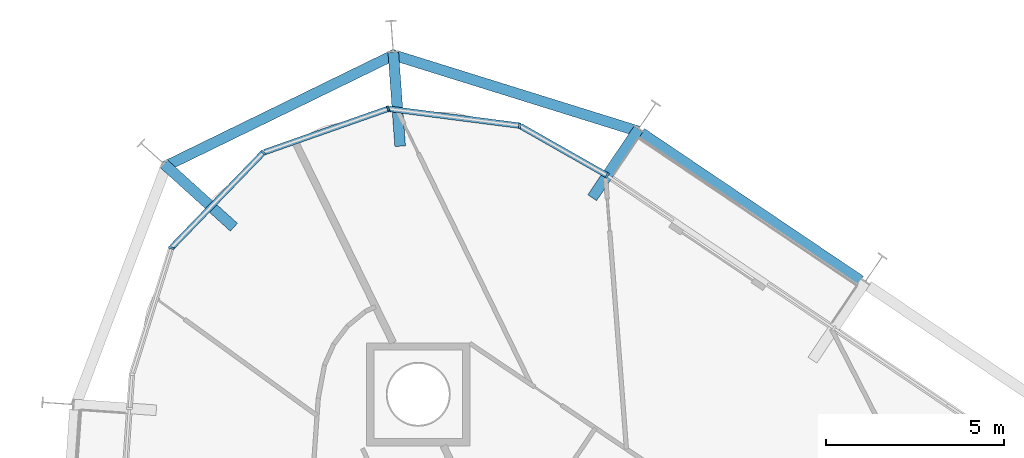
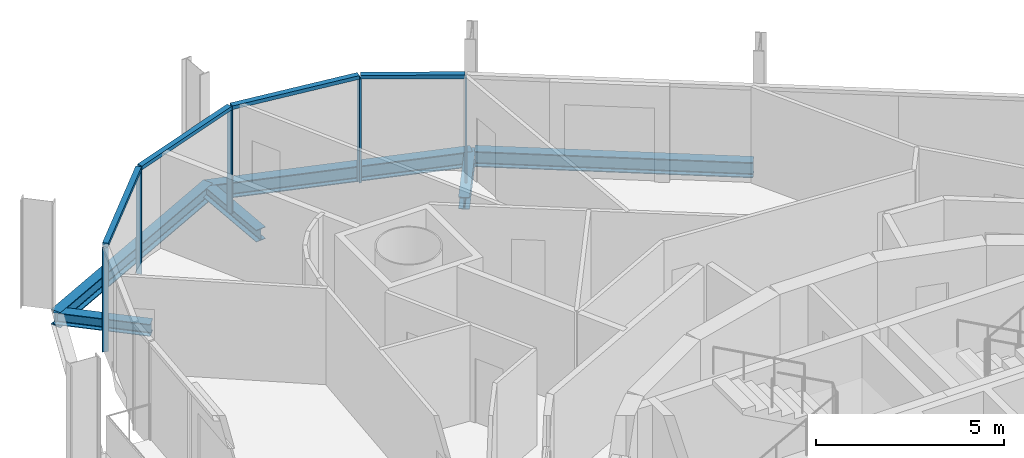
# One storey, part 8 of 17: 9 members, 6 beams, 1 element without a shape of its own.
"""IFC4 building model written with IfcOpenShell, lengths in metres."""

from ifc_helpers import new_model, si_unit, direction, frame, origin, origin_2d, place, context, subcontext, project, spatial, rectangle, i_section, extrude, material, layer, layer_set, material_profile, profile_set, type_object, element, aggregate, save


model = new_model("IFC4")

# Units and contexts
model_context = context("Model", 3, precision=1e-05, world=origin(), true_north=direction((0.0, 1.0)))
body_context = subcontext(model_context, "Body", "Model", "MODEL_VIEW")
ifc_project = project(units=[si_unit("LENGTHUNIT", "METRE"), si_unit("AREAUNIT", "SQUARE_METRE"), si_unit("VOLUMEUNIT", "CUBIC_METRE"), si_unit("PLANEANGLEUNIT", "RADIAN"), si_unit("MASSUNIT", "GRAM", prefix="KILO")], contexts=[model_context])

# Site, building, storey
site_placement = place(None, origin())
site = spatial("IfcSite", under=ifc_project, at=site_placement, CompositionType="ELEMENT")
building_placement = place(site_placement, origin())
building = spatial("IfcBuilding", under=site, at=building_placement, Name="Spindle Arch Residences", CompositionType="ELEMENT")
storey_placement = place(building_placement, frame((0.0, 0.0, 209.39990234375)))
storey = spatial("IfcBuildingStorey", under=building, at=storey_placement, Name="L53", CompositionType="ELEMENT", Elevation=209.39990234375)

# Curtain wall, members
ifc_material_1 = material(Name="Aluminium bronze unitised frame with tinted glass", Category="aluminium")
ifc_layer = layer(ifc_material_1, 0.159912109375)
ifc_layer_set = layer_set([ifc_layer], Name="CW-D corner wall on the fillet arcs")
curtain_wall_type = type_object("IfcCurtainWallType", Name="CW-D corner wall on the fillet arcs", PredefinedType="NOTDEFINED", material=ifc_layer_set)
curtain_wall_placement = place(storey_placement, origin())
curtain_wall = element("IfcCurtainWall", 1, at=curtain_wall_placement, inside=storey, type_object=curtain_wall_type, Name="CW-D L53 run 3", PredefinedType="NOTDEFINED")
ifc_material_2 = material(Name="Aluminium bronze anodised mullion", Category="aluminium")
ifc_material_profile_1 = material_profile(ifc_material_2, rectangle(XDim=0.159912109375, YDim=0.06005859375, at=origin_2d()), Name="MU 60x160")
ifc_profile_set_1 = profile_set([ifc_material_profile_1], Name="Aluminium bronze anodised mullion")
member_type_1 = type_object("IfcMemberType", Name="Bronze mullion 60x160", PredefinedType="MULLION", material=ifc_profile_set_1)
member_1_placement = place(storey_placement, frame((-3.608642578125, 24.46044921875, -0.3798828125), z_axis=(0.0, 0.0, 1.0), x_axis=(-0.493864780547, -0.86953871595, 0.0)))
member_1 = element("IfcMember", 2, at=member_1_placement, type_object=member_type_1, Name="CW-D mullion 00", PredefinedType="MULLION", context=body_context, shape_type="SweptSolid", body=[
    extrude(rectangle(XDim=0.159912109375, YDim=0.06005859375, at=origin_2d()), origin(), (0.0, 0.0, 1.0), 3.3798828125),
])
member_2_placement = place(storey_placement, frame((-6.07421875, 25.86083984375, -0.3798828125), z_axis=(0.0, 0.0, 1.0), x_axis=(-0.127641651888, -0.991820351023, 0.0)))
member_2 = element("IfcMember", 3, at=member_2_placement, type_object=member_type_1, Name="CW-D mullion 01", PredefinedType="MULLION", context=body_context, shape_type="SweptSolid", body=[
    extrude(rectangle(XDim=0.159912109375, YDim=0.06005859375, at=origin_2d()), origin(), (0.0, 0.0, 1.0), 3.3798828125),
])
member_3_placement = place(storey_placement, frame((-9.7705078125, 26.336669921875, -0.3798828125), z_axis=(0.0, 0.0, 1.0), x_axis=(0.331063412445, -0.943608508302, 0.0)))
member_3 = element("IfcMember", 4, at=member_3_placement, type_object=member_type_1, Name="CW-D mullion 02", PredefinedType="MULLION", context=body_context, shape_type="SweptSolid", body=[
    extrude(rectangle(XDim=0.159912109375, YDim=0.06005859375, at=origin_2d()), origin(), (0.0, 0.0, 1.0), 3.3798828125),
])
member_4_placement = place(storey_placement, frame((-13.287109375, 25.102783203125, -0.3798828125), z_axis=(0.0, 0.0, 1.0), x_axis=(0.719339801939, -0.694658368802, 0.0)))
member_4 = element("IfcMember", 5, at=member_4_placement, type_object=member_type_1, Name="CW-D mullion 03", PredefinedType="MULLION", context=body_context, shape_type="SweptSolid", body=[
    extrude(rectangle(XDim=0.159912109375, YDim=0.06005859375, at=origin_2d()), origin(), (0.0, 0.0, 1.0), 3.3798828125),
])
member_5_placement = place(storey_placement, frame((-15.8759765625, 22.421875, -0.3798828125), z_axis=(0.0, 0.0, 1.0), x_axis=(0.954587634064, -0.297930275218, 0.0)))
member_5 = element("IfcMember", 6, at=member_5_placement, type_object=member_type_1, Name="CW-D mullion 04", PredefinedType="MULLION", context=body_context, shape_type="SweptSolid", body=[
    extrude(rectangle(XDim=0.159912109375, YDim=0.06005859375, at=origin_2d()), origin(), (0.0, 0.0, 1.0), 3.3798828125),
])
ifc_material_3 = material(Name="Aluminium bronze anodised transom", Category="aluminium")
ifc_material_profile_2 = material_profile(ifc_material_3, rectangle(XDim=0.159912109375, YDim=0.1201171875, at=origin_2d()), Name="TR 120x160")
ifc_profile_set_2 = profile_set([ifc_material_profile_2], Name="Aluminium bronze anodised transom")
member_type_2 = type_object("IfcMemberType", Name="Bronze transom 120x160", PredefinedType="USERDEFINED", material=ifc_profile_set_2)
member_6_placement = place(storey_placement, frame((-3.634521484375, 24.475341796875, 3.06005859375), z_axis=(-0.869571592644, 0.493806890664, 0.0), x_axis=(-0.493806890664, -0.869571592644, 0.0)))
member_6 = element("IfcMember", 7, at=member_6_placement, type_object=member_type_2, Name="CW-D transom 00", ObjectType="TRANSOM", PredefinedType="USERDEFINED", context=body_context, shape_type="SweptSolid", body=[
    extrude(rectangle(XDim=0.159912109375, YDim=0.1201171875, at=origin_2d()), origin(), (0.0, 0.0, 1.0), 2.775634765625),
])
member_7_placement = place(storey_placement, frame((-6.10400390625, 25.86474609375, 3.06005859375), z_axis=(-0.991820609669, 0.127639642101, 0.0), x_axis=(-0.127639642101, -0.991820609669, 0.0)))
member_7 = element("IfcMember", 8, at=member_7_placement, type_object=member_type_2, Name="CW-D transom 01", ObjectType="TRANSOM", PredefinedType="USERDEFINED", context=body_context, shape_type="SweptSolid", body=[
    extrude(rectangle(XDim=0.159912109375, YDim=0.1201171875, at=origin_2d()), origin(), (0.0, 0.0, 1.0), 3.666748046875),
])
member_8_placement = place(storey_placement, frame((-9.798828125, 26.32666015625, 3.06005859375), z_axis=(-0.943613119154, -0.331050270141, 0.0), x_axis=(0.331050270141, -0.943613119154, 0.0)))
member_8 = element("IfcMember", 9, at=member_8_placement, type_object=member_type_2, Name="CW-D transom 02", ObjectType="TRANSOM", PredefinedType="USERDEFINED", context=body_context, shape_type="SweptSolid", body=[
    extrude(rectangle(XDim=0.159912109375, YDim=0.1201171875, at=origin_2d()), origin(), (0.0, 0.0, 1.0), 3.666748046875),
])
member_9_placement = place(storey_placement, frame((-13.307861328125, 25.081298828125, 3.06005859375), z_axis=(-0.694647982093, -0.719349832122, 0.0), x_axis=(0.719349832122, -0.694647982093, 0.0)))
member_9 = element("IfcMember", 10, at=member_9_placement, type_object=member_type_2, Name="CW-D transom 03", ObjectType="TRANSOM", PredefinedType="USERDEFINED", context=body_context, shape_type="SweptSolid", body=[
    extrude(rectangle(XDim=0.159912109375, YDim=0.1201171875, at=origin_2d()), origin(), (0.0, 0.0, 1.0), 3.666748046875),
])
aggregate(curtain_wall, [member_1, member_6, member_2, member_7, member_3, member_8, member_4, member_9, member_5])

# Beams
ifc_material_4 = material(Name="Steel S460ML, intumescent coating R 120", Category="steel")
ifc_material_profile_3 = material_profile(ifc_material_4, i_section(OverallWidth=0.300048828125, OverallDepth=0.5, WebThickness=0.014404296875, FlangeThickness=0.028076171875, FilletRadius=0.027099609375, at=origin_2d()), Name="HEB 500")
ifc_profile_set_3 = profile_set([ifc_material_profile_3], Name="Steel S460ML, intumescent coating R 120")
beam_type_1 = type_object("IfcBeamType", Name="Exoskeleton edge beam HEB 500", PredefinedType="BEAM", material=ifc_profile_set_3)
beam_1_placement = place(storey_placement, frame((3.517578125, 21.499267578125, -0.6298828125), z_axis=(-0.829031763913, 0.55920151504, 0.0), x_axis=(-0.55920151504, -0.829031763913, 0.0)))
element("IfcBeam", 11, at=beam_1_placement, inside=storey, type_object=beam_type_1, Name="Exoskeleton edge beam 9", PredefinedType="BEAM", context=body_context, shape_type="SweptSolid", body=[
    extrude(i_section(OverallWidth=0.300048828125, OverallDepth=0.5, WebThickness=0.014404296875, FlangeThickness=0.028076171875, FilletRadius=0.027099609375, at=origin_2d()), origin(), (0.0, 0.0, 1.0), 7.433837890625),
])
beam_2_placement = place(storey_placement, frame((-2.729248046875, 25.7001953125, -0.6298828125), z_axis=(-0.954689668885, 0.297603152072, 0.0), x_axis=(-0.297603152072, -0.954689668885, 0.0)))
element("IfcBeam", 12, at=beam_2_placement, inside=storey, type_object=beam_type_1, Name="Exoskeleton edge beam 10", PredefinedType="BEAM", context=body_context, shape_type="SweptSolid", body=[
    extrude(i_section(OverallWidth=0.300048828125, OverallDepth=0.5, WebThickness=0.014404296875, FlangeThickness=0.028076171875, FilletRadius=0.027099609375, at=origin_2d()), origin(), (0.0, 0.0, 1.0), 7.263427734375),
])
beam_3_placement = place(storey_placement, frame((-9.563720703125, 27.876708984375, -0.6298828125), z_axis=(-0.89878236333, -0.438395099616, 0.0), x_axis=(0.438395099616, -0.89878236333, 0.0)))
element("IfcBeam", 13, at=beam_3_placement, inside=storey, type_object=beam_type_1, Name="Exoskeleton edge beam 11", PredefinedType="BEAM", context=body_context, shape_type="SweptSolid", body=[
    extrude(i_section(OverallWidth=0.300048828125, OverallDepth=0.5, WebThickness=0.014404296875, FlangeThickness=0.028076171875, FilletRadius=0.027099609375, at=origin_2d()), origin(), (0.0, 0.0, 1.0), 7.2490234375),
])
ifc_material_5 = material(Name="Steel S460ML, intumescent coating R 120", Category="steel")
ifc_material_profile_4 = material_profile(ifc_material_5, i_section(OverallWidth=0.300048828125, OverallDepth=0.389892578125, WebThickness=0.010986328125, FlangeThickness=0.01904296875, FilletRadius=0.027099609375, at=origin_2d()), Name="HEA 400")
ifc_profile_set_4 = profile_set([ifc_material_profile_4], Name="Steel S460ML, intumescent coating R 120")
beam_type_2 = type_object("IfcBeamType", Name="Floor outrigger HEA 400", PredefinedType="BEAM", material=ifc_profile_set_4)
beam_4_placement = place(storey_placement, frame((-2.730712890625, 25.761962890625, -0.574951171875), z_axis=(-0.559170171593, -0.829052904947, 0.0), x_axis=(0.829052904947, -0.559170171593, 0.0)))
element("IfcBeam", 14, at=beam_4_placement, inside=storey, type_object=beam_type_2, Name="Floor outrigger 10", PredefinedType="BEAM", context=body_context, shape_type="SweptSolid", body=[
    extrude(i_section(OverallWidth=0.300048828125, OverallDepth=0.389892578125, WebThickness=0.010986328125, FlangeThickness=0.01904296875, FilletRadius=0.027099609375, at=origin_2d()), origin(), (0.0, 0.0, 1.0), 2.32763671875),
])
for number, where, z_axis, x_axis, name in (
    (15, (-9.62890625, 27.92529296875, -0.574951171875), (0.072870594007, -0.997341404199, 0.0), (0.997341404199, 0.072870594007, 0.0), "Floor outrigger 11"),
    (16, (-16.0771484375, 24.780029296875, -0.574951171875), (0.741072898018, -0.671424574932, 0.0), (0.671424574932, 0.741072898018, 0.0), "Floor outrigger 12"),
):
    element("IfcBeam", number, at=place(storey_placement, frame(where, z_axis=z_axis, x_axis=x_axis)), inside=storey, type_object=beam_type_2, Name=name, PredefinedType="BEAM", context=body_context, shape_type="SweptSolid", body=[
        extrude(i_section(OverallWidth=0.300048828125, OverallDepth=0.389892578125, WebThickness=0.010986328125, FlangeThickness=0.01904296875, FilletRadius=0.027099609375, at=origin_2d()), origin(), (0.0, 0.0, 1.0), 2.650146484375),
    ])

save(model, "model.ifc")
